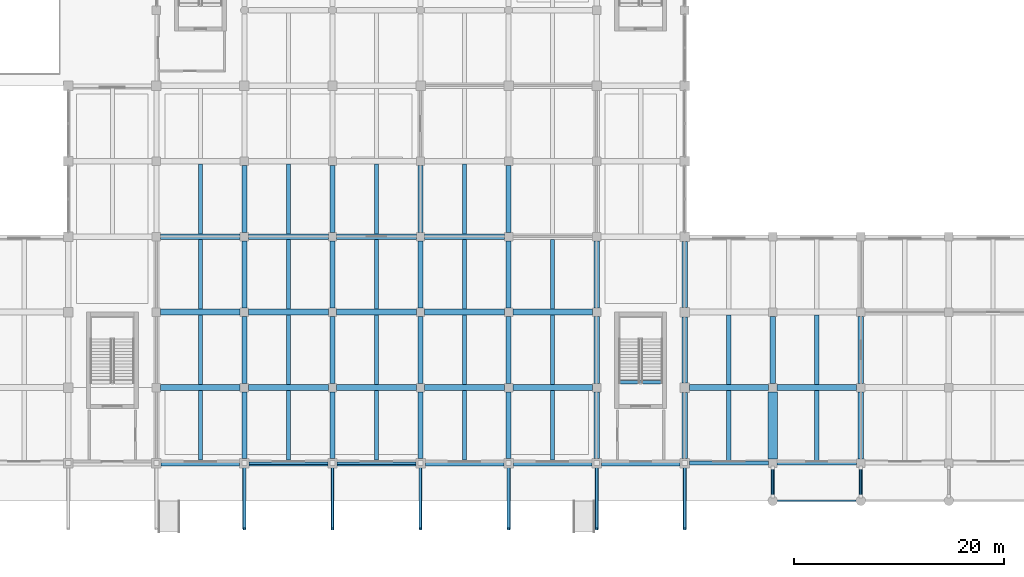
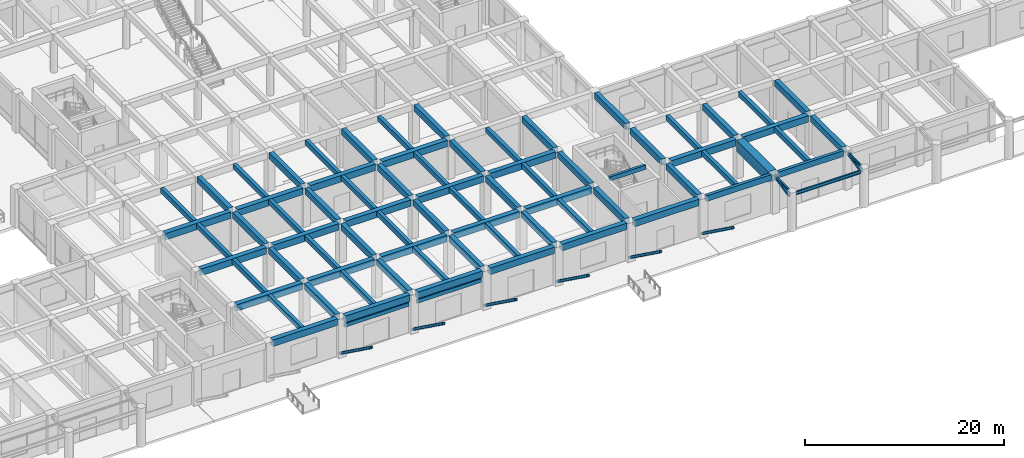
# One storey, part 8 of 49: 79 beams, 8 members.
"""IFC4 building model written with IfcOpenShell, lengths in metres."""

from ifc_helpers import new_model, si_unit, direction, frame, origin, origin_2d, place, context, subcontext, project, spatial, rectangle, hollow_circle, i_section, extrude, material, material_profile, profile_set, type_object, element, save


model = new_model("IFC4")

# Units and contexts
model_context = context("Model", 3, precision=1e-05, world=origin(), true_north=direction((0.0, 1.0)))
body_context = subcontext(model_context, "Body", "Model", "MODEL_VIEW")
ifc_project = project(units=[si_unit("LENGTHUNIT", "METRE"), si_unit("AREAUNIT", "SQUARE_METRE"), si_unit("VOLUMEUNIT", "CUBIC_METRE"), si_unit("PLANEANGLEUNIT", "RADIAN"), si_unit("MASSUNIT", "GRAM", prefix="KILO")], contexts=[model_context])

# Site, building, storey
site_placement = place(None, origin())
site = spatial("IfcSite", under=ifc_project, at=site_placement, CompositionType="ELEMENT")
building_placement = place(site_placement, origin())
building = spatial("IfcBuilding", under=site, at=building_placement, Name="Kenerak Square Central Library", CompositionType="ELEMENT")
storey_placement = place(building_placement, origin())
storey = spatial("IfcBuildingStorey", under=building, at=storey_placement, Name="L00", CompositionType="ELEMENT", Elevation=0.0)

# Beams
ifc_material_1 = material(Name="Steel S355", Category="steel")
ifc_material_profile_1 = material_profile(ifc_material_1, i_section(OverallWidth=0.14990234375, OverallDepth=0.300048828125, WebThickness=0.007080078125, FlangeThickness=0.0107421875, FilletRadius=0.014892578125, at=origin_2d()), Name="IPE 300")
ifc_profile_set_1 = profile_set([ifc_material_profile_1], Name="Steel S355")
beam_type_1 = type_object("IfcBeamType", Name="Canopy Steel Joist SJ-02 IPE 300 S355", PredefinedType="JOIST", material=ifc_profile_set_1)
for number, where, z_axis, x_axis, name in (
    (1, (125.60009765625, 13.64990234375, 4.5), (0.0, 1.0, 0.0), (-1.0, 0.0, 0.0), "Colonnade Canopy Tie Joist SJ-02 07"),
    (2, (134.0, 13.64990234375, 4.5), (0.0, 1.0, 0.0), (-1.0, 0.0, 0.0), "Colonnade Canopy Tie Joist SJ-02 08"),
):
    element("IfcBeam", number, at=place(storey_placement, frame(where, z_axis=z_axis, x_axis=x_axis)), inside=storey, type_object=beam_type_1, Name=name, PredefinedType="JOIST", context=body_context, shape_type="SweptSolid", body=[
        extrude(i_section(OverallWidth=0.14990234375, OverallDepth=0.300048828125, WebThickness=0.007080078125, FlangeThickness=0.0107421875, FilletRadius=0.014892578125, at=origin_2d()), origin(), (0.0, 0.0, 1.0), 2.7001953125),
    ])

# Members
ifc_material_profile_2 = material_profile(ifc_material_1, i_section(OverallWidth=0.300048828125, OverallDepth=0.300048828125, WebThickness=0.010986328125, FlangeThickness=0.01904296875, FilletRadius=0.027099609375, at=origin_2d()), Name="HEB 300")
ifc_profile_set_2 = profile_set([ifc_material_profile_2], Name="Steel S355")
member_type_1 = type_object("IfcMemberType", Name="Canopy Tie Member CT-01 HEB 300 S355", PredefinedType="STRUT", material=ifc_profile_set_2)
for number, where, z_axis, x_axis, name in (
    (3, (125.60009765625, 13.64990234375, 3.89990234375), (0.0, 0.976182906477, 0.216949148655), (-1.0, 0.0, 0.0), "Colonnade Raking Tie CT-01 07"),
    (4, (134.0, 13.64990234375, 3.89990234375), (0.0, 0.976182906477, 0.216949148655), (-1.0, 0.0, 0.0), "Colonnade Raking Tie CT-01 08"),
):
    element("IfcMember", number, at=place(storey_placement, frame(where, z_axis=z_axis, x_axis=x_axis)), inside=storey, type_object=member_type_1, Name=name, PredefinedType="STRUT", context=body_context, shape_type="SweptSolid", body=[
        extrude(i_section(OverallWidth=0.300048828125, OverallDepth=0.300048828125, WebThickness=0.010986328125, FlangeThickness=0.01904296875, FilletRadius=0.027099609375, at=origin_2d()), origin(), (0.0, 0.0, 1.0), 2.76611328125),
    ])

# Beams
ifc_material_profile_3 = material_profile(ifc_material_1, i_section(OverallWidth=0.179931640625, OverallDepth=0.39990234375, WebThickness=0.008544921875, FlangeThickness=0.013427734375, FilletRadius=0.02099609375, at=origin_2d()), Name="IPE 400")
ifc_profile_set_3 = profile_set([ifc_material_profile_3], Name="Steel S355")
beam_type_2 = type_object("IfcBeamType", Name="Colonnade Roof Beam SB-09 IPE 400 S355", PredefinedType="BEAM", material=ifc_profile_set_3)
beam_1_placement = place(storey_placement, frame((126.050048828125, 13.199951171875, 4.300048828125), z_axis=(1.0, 0.0, 0.0), x_axis=(0.0, 1.0, 0.0)))
element("IfcBeam", 5, at=beam_1_placement, inside=storey, type_object=beam_type_2, Name="Colonnade Edge Beam SB-09 E01", PredefinedType="BEAM", context=body_context, shape_type="SweptSolid", body=[
    extrude(i_section(OverallWidth=0.179931640625, OverallDepth=0.39990234375, WebThickness=0.008544921875, FlangeThickness=0.013427734375, FilletRadius=0.02099609375, at=origin_2d()), origin(), (0.0, 0.0, 1.0), 7.5),
])
ifc_material_2 = material(Name="Concrete C40/50", Category="concrete")
ifc_material_profile_4 = material_profile(ifc_material_2, rectangle(XDim=0.35009765625, YDim=0.699951171875, at=origin_2d()), Name="RC 350x700")
ifc_profile_set_4 = profile_set([ifc_material_profile_4], Name="Concrete C40/50")
beam_type_3 = type_object("IfcBeamType", Name="Expressed Spandrel Beam SP-01 RC 350x700 C40/50", PredefinedType="SPANDREL", material=ifc_profile_set_4)
beam_2_placement = place(storey_placement, frame((117.64990234375, 16.800048828125, 4.449951171875), z_axis=(1.0, 0.0, 0.0), x_axis=(0.0, 1.0, 0.0)))
element("IfcBeam", 6, at=beam_2_placement, inside=storey, type_object=beam_type_3, Name="Beam SP-01 L00 0457", PredefinedType="SPANDREL", context=body_context, shape_type="SweptSolid", body=[
    extrude(rectangle(XDim=0.35009765625, YDim=0.699951171875, at=origin_2d()), origin(), (0.0, 0.0, 1.0), 7.550048828125),
])
beam_3_placement = place(storey_placement, frame((126.0, 16.800048828125, 4.449951171875), z_axis=(1.0, 0.0, 0.0), x_axis=(0.0, 1.0, 0.0)))
element("IfcBeam", 7, at=beam_3_placement, inside=storey, type_object=beam_type_3, Name="Beam SP-01 L00 0458", PredefinedType="SPANDREL", context=body_context, shape_type="SweptSolid", body=[
    extrude(rectangle(XDim=0.35009765625, YDim=0.699951171875, at=origin_2d()), origin(), (0.0, 0.0, 1.0), 7.60009765625),
])
ifc_material_profile_5 = material_profile(ifc_material_2, rectangle(XDim=0.300048828125, YDim=0.5, at=origin_2d()), Name="RC 300x500")
ifc_profile_set_5 = profile_set([ifc_material_profile_5], Name="Concrete C40/50")
beam_type_4 = type_object("IfcBeamType", Name="Landing Support Beam B-08 RC 300x500 C40/50", PredefinedType="BEAM", material=ifc_profile_set_5)
beam_4_placement = place(storey_placement, frame((110.919921875, 24.510009765625, 4.550048828125), z_axis=(1.0, 0.0, 0.0), x_axis=(0.0, 1.0, 0.0)))
element("IfcBeam", 8, at=beam_4_placement, inside=storey, type_object=beam_type_4, Name="Stair Threshold Beam B-08 ST-05 L01", PredefinedType="BEAM", context=body_context, shape_type="SweptSolid", body=[
    extrude(rectangle(XDim=0.300048828125, YDim=0.5, at=origin_2d()), origin(), (0.0, 0.0, 1.0), 4.16015625),
])
ifc_material_profile_6 = material_profile(ifc_material_2, rectangle(XDim=0.550048828125, YDim=0.800048828125, at=origin_2d()), Name="RC 550x800")
ifc_profile_set_6 = profile_set([ifc_material_profile_6], Name="Concrete C40/50")
beam_type_5 = type_object("IfcBeamType", Name="Primary Reading Beam B-04 RC 550x800 C40/50", PredefinedType="BEAM", material=ifc_profile_set_6)
for number, where, z_axis, x_axis, name in (
    (9, (67.25, 16.800048828125, 4.39990234375), (1.0, 0.0, 0.0), (0.0, 1.0, 0.0), "Beam B-04 L00 0451"),
    (10, (75.64990234375, 16.800048828125, 4.39990234375), (1.0, 0.0, 0.0), (0.0, 1.0, 0.0), "Beam B-04 L00 0452"),
    (11, (84.050048828125, 16.800048828125, 4.39990234375), (1.0, 0.0, 0.0), (0.0, 1.0, 0.0), "Beam B-04 L00 0453"),
    (12, (92.449951171875, 16.800048828125, 4.39990234375), (1.0, 0.0, 0.0), (0.0, 1.0, 0.0), "Beam B-04 L00 0454"),
    (13, (100.85009765625, 16.800048828125, 4.39990234375), (1.0, 0.0, 0.0), (0.0, 1.0, 0.0), "Beam B-04 L00 0455"),
    (14, (109.25, 16.800048828125, 4.39990234375), (1.0, 0.0, 0.0), (0.0, 1.0, 0.0), "Beam B-04 L00 0456"),
):
    element("IfcBeam", number, at=place(storey_placement, frame(where, z_axis=z_axis, x_axis=x_axis)), inside=storey, type_object=beam_type_5, Name=name, PredefinedType="BEAM", context=body_context, shape_type="SweptSolid", body=[
        extrude(rectangle(XDim=0.550048828125, YDim=0.800048828125, at=origin_2d()), origin(), (0.0, 0.0, 1.0), 7.5),
    ])
beam_5_placement = place(storey_placement, frame((67.199951171875, 24.0, 4.39990234375), z_axis=(1.0, 0.0, 0.0), x_axis=(0.0, 1.0, 0.0)))
element("IfcBeam", 15, at=beam_5_placement, inside=storey, type_object=beam_type_5, Name="Beam B-04 L00 0464", PredefinedType="BEAM", context=body_context, shape_type="SweptSolid", body=[
    extrude(rectangle(XDim=0.550048828125, YDim=0.800048828125, at=origin_2d()), origin(), (0.0, 0.0, 1.0), 7.60009765625),
])
beam_6_placement = place(storey_placement, frame((75.60009765625, 24.0, 4.39990234375), z_axis=(1.0, 0.0, 0.0), x_axis=(0.0, 1.0, 0.0)))
element("IfcBeam", 16, at=beam_6_placement, inside=storey, type_object=beam_type_5, Name="Beam B-04 L00 0465", PredefinedType="BEAM", context=body_context, shape_type="SweptSolid", body=[
    extrude(rectangle(XDim=0.550048828125, YDim=0.800048828125, at=origin_2d()), origin(), (0.0, 0.0, 1.0), 7.599853515625),
])
for number, where, z_axis, x_axis, name in (
    (17, (84.0, 24.0, 4.39990234375), (1.0, 0.0, 0.0), (0.0, 1.0, 0.0), "Beam B-04 L00 0466"),
    (18, (92.39990234375, 24.0, 4.39990234375), (1.0, 0.0, 0.0), (0.0, 1.0, 0.0), "Beam B-04 L00 0467"),
):
    element("IfcBeam", number, at=place(storey_placement, frame(where, z_axis=z_axis, x_axis=x_axis)), inside=storey, type_object=beam_type_5, Name=name, PredefinedType="BEAM", context=body_context, shape_type="SweptSolid", body=[
        extrude(rectangle(XDim=0.550048828125, YDim=0.800048828125, at=origin_2d()), origin(), (0.0, 0.0, 1.0), 7.60009765625),
    ])
beam_7_placement = place(storey_placement, frame((100.800048828125, 24.0, 4.39990234375), z_axis=(1.0, 0.0, 0.0), x_axis=(0.0, 1.0, 0.0)))
element("IfcBeam", 19, at=beam_7_placement, inside=storey, type_object=beam_type_5, Name="Beam B-04 L00 0468", PredefinedType="BEAM", context=body_context, shape_type="SweptSolid", body=[
    extrude(rectangle(XDim=0.550048828125, YDim=0.800048828125, at=origin_2d()), origin(), (0.0, 0.0, 1.0), 7.599853515625),
])
beam_8_placement = place(storey_placement, frame((117.64990234375, 24.0, 4.39990234375), z_axis=(1.0, 0.0, 0.0), x_axis=(0.0, 1.0, 0.0)))
element("IfcBeam", 20, at=beam_8_placement, inside=storey, type_object=beam_type_5, Name="Beam B-04 L00 0469", PredefinedType="BEAM", context=body_context, shape_type="SweptSolid", body=[
    extrude(rectangle(XDim=0.550048828125, YDim=0.800048828125, at=origin_2d()), origin(), (0.0, 0.0, 1.0), 7.550048828125),
])
for number, where, z_axis, x_axis, name in (
    (21, (126.0, 24.0, 4.39990234375), (1.0, 0.0, 0.0), (0.0, 1.0, 0.0), "Beam B-04 L00 0470"),
    (22, (67.199951171875, 31.199951171875, 4.39990234375), (1.0, 0.0, 0.0), (0.0, 1.0, 0.0), "Beam B-04 L00 0479"),
):
    element("IfcBeam", number, at=place(storey_placement, frame(where, z_axis=z_axis, x_axis=x_axis)), inside=storey, type_object=beam_type_5, Name=name, PredefinedType="BEAM", context=body_context, shape_type="SweptSolid", body=[
        extrude(rectangle(XDim=0.550048828125, YDim=0.800048828125, at=origin_2d()), origin(), (0.0, 0.0, 1.0), 7.60009765625),
    ])
beam_9_placement = place(storey_placement, frame((75.60009765625, 31.199951171875, 4.39990234375), z_axis=(1.0, 0.0, 0.0), x_axis=(0.0, 1.0, 0.0)))
element("IfcBeam", 23, at=beam_9_placement, inside=storey, type_object=beam_type_5, Name="Beam B-04 L00 0480", PredefinedType="BEAM", context=body_context, shape_type="SweptSolid", body=[
    extrude(rectangle(XDim=0.550048828125, YDim=0.800048828125, at=origin_2d()), origin(), (0.0, 0.0, 1.0), 7.599853515625),
])
for number, where, z_axis, x_axis, name in (
    (24, (84.0, 31.199951171875, 4.39990234375), (1.0, 0.0, 0.0), (0.0, 1.0, 0.0), "Beam B-04 L00 0481"),
    (25, (92.39990234375, 31.199951171875, 4.39990234375), (1.0, 0.0, 0.0), (0.0, 1.0, 0.0), "Beam B-04 L00 0482"),
):
    element("IfcBeam", number, at=place(storey_placement, frame(where, z_axis=z_axis, x_axis=x_axis)), inside=storey, type_object=beam_type_5, Name=name, PredefinedType="BEAM", context=body_context, shape_type="SweptSolid", body=[
        extrude(rectangle(XDim=0.550048828125, YDim=0.800048828125, at=origin_2d()), origin(), (0.0, 0.0, 1.0), 7.60009765625),
    ])
beam_10_placement = place(storey_placement, frame((100.800048828125, 31.199951171875, 4.39990234375), z_axis=(1.0, 0.0, 0.0), x_axis=(0.0, 1.0, 0.0)))
element("IfcBeam", 26, at=beam_10_placement, inside=storey, type_object=beam_type_5, Name="Beam B-04 L00 0483", PredefinedType="BEAM", context=body_context, shape_type="SweptSolid", body=[
    extrude(rectangle(XDim=0.550048828125, YDim=0.800048828125, at=origin_2d()), origin(), (0.0, 0.0, 1.0), 7.599853515625),
])
beam_11_placement = place(storey_placement, frame((67.199951171875, 38.39990234375, 4.39990234375), z_axis=(1.0, 0.0, 0.0), x_axis=(0.0, 1.0, 0.0)))
element("IfcBeam", 27, at=beam_11_placement, inside=storey, type_object=beam_type_5, Name="Beam B-04 L00 0495", PredefinedType="BEAM", context=body_context, shape_type="SweptSolid", body=[
    extrude(rectangle(XDim=0.550048828125, YDim=0.800048828125, at=origin_2d()), origin(), (0.0, 0.0, 1.0), 7.60009765625),
])
beam_12_placement = place(storey_placement, frame((75.60009765625, 38.39990234375, 4.39990234375), z_axis=(1.0, 0.0, 0.0), x_axis=(0.0, 1.0, 0.0)))
element("IfcBeam", 28, at=beam_12_placement, inside=storey, type_object=beam_type_5, Name="Beam B-04 L00 0496", PredefinedType="BEAM", context=body_context, shape_type="SweptSolid", body=[
    extrude(rectangle(XDim=0.550048828125, YDim=0.800048828125, at=origin_2d()), origin(), (0.0, 0.0, 1.0), 7.599853515625),
])
for number, where, z_axis, x_axis, name in (
    (29, (84.0, 38.39990234375, 4.39990234375), (1.0, 0.0, 0.0), (0.0, 1.0, 0.0), "Beam B-04 L00 0497"),
    (30, (92.39990234375, 38.39990234375, 4.39990234375), (1.0, 0.0, 0.0), (0.0, 1.0, 0.0), "Beam B-04 L00 0498"),
):
    element("IfcBeam", number, at=place(storey_placement, frame(where, z_axis=z_axis, x_axis=x_axis)), inside=storey, type_object=beam_type_5, Name=name, PredefinedType="BEAM", context=body_context, shape_type="SweptSolid", body=[
        extrude(rectangle(XDim=0.550048828125, YDim=0.800048828125, at=origin_2d()), origin(), (0.0, 0.0, 1.0), 7.60009765625),
    ])

# Members
ifc_material_profile_7 = material_profile(ifc_material_1, hollow_circle(Radius=0.161865234375, WallThickness=0.012451171875, at=origin_2d()), Name="CHS 323.9x12.5")
ifc_profile_set_7 = profile_set([ifc_material_profile_7], Name="Steel S355")
member_type_2 = type_object("IfcMemberType", Name="Raking Overhang Strut RK-01 CHS 323.9x12.5 S355", PredefinedType="STRUT", material=ifc_profile_set_7)
for number, where, z_axis, x_axis, name in (
    (31, (75.199951171875, 16.800048828125, 0.25), (0.0, -0.810678399997, 0.585491700862), (1.0, 0.0, 0.0), "Raking Base Strut RK-01 3"),
    (32, (83.60009765625, 16.800048828125, 0.25), (0.0, -0.810678399997, 0.585491700862), (1.0, 0.0, 0.0), "Raking Base Strut RK-01 4"),
    (33, (92.0, 16.800048828125, 0.25), (0.0, -0.810678399997, 0.585491700862), (1.0, 0.0, 0.0), "Raking Base Strut RK-01 5"),
    (34, (100.39990234375, 16.800048828125, 0.25), (0.0, -0.810678399997, 0.585491700862), (1.0, 0.0, 0.0), "Raking Base Strut RK-01 6"),
    (35, (108.800048828125, 16.800048828125, 0.25), (0.0, -0.810678399997, 0.585491700862), (1.0, 0.0, 0.0), "Raking Base Strut RK-01 7"),
    (36, (117.199951171875, 16.800048828125, 0.25), (0.0, -0.810678399997, 0.585491700862), (1.0, 0.0, 0.0), "Raking Base Strut RK-01 8"),
):
    element("IfcMember", number, at=place(storey_placement, frame(where, z_axis=z_axis, x_axis=x_axis)), inside=storey, type_object=member_type_2, Name=name, PredefinedType="STRUT", context=body_context, shape_type="SweptSolid", body=[
        extrude(hollow_circle(Radius=0.161865234375, WallThickness=0.012451171875, at=origin_2d()), origin(), (0.0, 0.0, 1.0), 7.771240234375),
    ])

# Beams
ifc_material_profile_8 = material_profile(ifc_material_2, rectangle(XDim=0.39990234375, YDim=0.60009765625, at=origin_2d()), Name="RC 400x600")
ifc_profile_set_8 = profile_set([ifc_material_profile_8], Name="Concrete C40/50")
beam_type_6 = type_object("IfcBeamType", Name="Secondary Floor Joist J-01 RC 400x600 C40/50", PredefinedType="JOIST", material=ifc_profile_set_8)
for number, where, z_axis, x_axis, name in (
    (37, (71.0, 17.074951171875, 4.5), (0.0, 1.0, 0.0), (-1.0, 0.0, 0.0), "Joist J-01 L00 0767"),
    (38, (71.0, 24.27490234375, 4.5), (0.0, 1.0, 0.0), (-1.0, 0.0, 0.0), "Joist J-01 L00 0768"),
):
    element("IfcBeam", number, at=place(storey_placement, frame(where, z_axis=z_axis, x_axis=x_axis)), inside=storey, type_object=beam_type_6, Name=name, PredefinedType="JOIST", context=body_context, shape_type="SweptSolid", body=[
        extrude(rectangle(XDim=0.39990234375, YDim=0.60009765625, at=origin_2d()), origin(), (0.0, 0.0, 1.0), 6.650146484375),
    ])
for number, where, z_axis, x_axis, name in (
    (39, (71.0, 31.47509765625, 4.5), (0.0, 1.0, 0.0), (-1.0, 0.0, 0.0), "Joist J-01 L00 0769"),
    (40, (71.0, 38.675048828125, 4.5), (0.0, 1.0, 0.0), (-1.0, 0.0, 0.0), "Joist J-01 L00 0770"),
):
    element("IfcBeam", number, at=place(storey_placement, frame(where, z_axis=z_axis, x_axis=x_axis)), inside=storey, type_object=beam_type_6, Name=name, PredefinedType="JOIST", context=body_context, shape_type="SweptSolid", body=[
        extrude(rectangle(XDim=0.39990234375, YDim=0.60009765625, at=origin_2d()), origin(), (0.0, 0.0, 1.0), 6.64990234375),
    ])
for number, where, z_axis, x_axis, name in (
    (41, (79.39990234375, 17.074951171875, 4.5), (0.0, 1.0, 0.0), (-1.0, 0.0, 0.0), "Joist J-01 L00 0777"),
    (42, (79.39990234375, 24.27490234375, 4.5), (0.0, 1.0, 0.0), (-1.0, 0.0, 0.0), "Joist J-01 L00 0778"),
):
    element("IfcBeam", number, at=place(storey_placement, frame(where, z_axis=z_axis, x_axis=x_axis)), inside=storey, type_object=beam_type_6, Name=name, PredefinedType="JOIST", context=body_context, shape_type="SweptSolid", body=[
        extrude(rectangle(XDim=0.39990234375, YDim=0.60009765625, at=origin_2d()), origin(), (0.0, 0.0, 1.0), 6.650146484375),
    ])
for number, where, z_axis, x_axis, name in (
    (43, (79.39990234375, 31.47509765625, 4.5), (0.0, 1.0, 0.0), (-1.0, 0.0, 0.0), "Joist J-01 L00 0779"),
    (44, (79.39990234375, 38.675048828125, 4.5), (0.0, 1.0, 0.0), (-1.0, 0.0, 0.0), "Joist J-01 L00 0780"),
):
    element("IfcBeam", number, at=place(storey_placement, frame(where, z_axis=z_axis, x_axis=x_axis)), inside=storey, type_object=beam_type_6, Name=name, PredefinedType="JOIST", context=body_context, shape_type="SweptSolid", body=[
        extrude(rectangle(XDim=0.39990234375, YDim=0.60009765625, at=origin_2d()), origin(), (0.0, 0.0, 1.0), 6.64990234375),
    ])
for number, where, z_axis, x_axis, name in (
    (45, (87.800048828125, 17.074951171875, 4.5), (0.0, 1.0, 0.0), (-1.0, 0.0, 0.0), "Joist J-01 L00 0788"),
    (46, (87.800048828125, 24.27490234375, 4.5), (0.0, 1.0, 0.0), (-1.0, 0.0, 0.0), "Joist J-01 L00 0789"),
):
    element("IfcBeam", number, at=place(storey_placement, frame(where, z_axis=z_axis, x_axis=x_axis)), inside=storey, type_object=beam_type_6, Name=name, PredefinedType="JOIST", context=body_context, shape_type="SweptSolid", body=[
        extrude(rectangle(XDim=0.39990234375, YDim=0.60009765625, at=origin_2d()), origin(), (0.0, 0.0, 1.0), 6.650146484375),
    ])
for number, where, z_axis, x_axis, name in (
    (47, (87.800048828125, 31.47509765625, 4.5), (0.0, 1.0, 0.0), (-1.0, 0.0, 0.0), "Joist J-01 L00 0790"),
    (48, (87.800048828125, 38.675048828125, 4.5), (0.0, 1.0, 0.0), (-1.0, 0.0, 0.0), "Joist J-01 L00 0791"),
):
    element("IfcBeam", number, at=place(storey_placement, frame(where, z_axis=z_axis, x_axis=x_axis)), inside=storey, type_object=beam_type_6, Name=name, PredefinedType="JOIST", context=body_context, shape_type="SweptSolid", body=[
        extrude(rectangle(XDim=0.39990234375, YDim=0.60009765625, at=origin_2d()), origin(), (0.0, 0.0, 1.0), 6.64990234375),
    ])
for number, where, z_axis, x_axis, name in (
    (49, (96.199951171875, 17.074951171875, 4.5), (0.0, 1.0, 0.0), (-1.0, 0.0, 0.0), "Joist J-01 L00 0797"),
    (50, (96.199951171875, 24.27490234375, 4.5), (0.0, 1.0, 0.0), (-1.0, 0.0, 0.0), "Joist J-01 L00 0798"),
):
    element("IfcBeam", number, at=place(storey_placement, frame(where, z_axis=z_axis, x_axis=x_axis)), inside=storey, type_object=beam_type_6, Name=name, PredefinedType="JOIST", context=body_context, shape_type="SweptSolid", body=[
        extrude(rectangle(XDim=0.39990234375, YDim=0.60009765625, at=origin_2d()), origin(), (0.0, 0.0, 1.0), 6.650146484375),
    ])
for number, where, z_axis, x_axis, name in (
    (51, (96.199951171875, 31.47509765625, 4.5), (0.0, 1.0, 0.0), (-1.0, 0.0, 0.0), "Joist J-01 L00 0799"),
    (52, (96.199951171875, 38.675048828125, 4.5), (0.0, 1.0, 0.0), (-1.0, 0.0, 0.0), "Joist J-01 L00 0800"),
):
    element("IfcBeam", number, at=place(storey_placement, frame(where, z_axis=z_axis, x_axis=x_axis)), inside=storey, type_object=beam_type_6, Name=name, PredefinedType="JOIST", context=body_context, shape_type="SweptSolid", body=[
        extrude(rectangle(XDim=0.39990234375, YDim=0.60009765625, at=origin_2d()), origin(), (0.0, 0.0, 1.0), 6.64990234375),
    ])
for number, where, z_axis, x_axis, name in (
    (53, (104.60009765625, 17.074951171875, 4.5), (0.0, 1.0, 0.0), (-1.0, 0.0, 0.0), "Joist J-01 L00 0809"),
    (54, (104.60009765625, 24.27490234375, 4.5), (0.0, 1.0, 0.0), (-1.0, 0.0, 0.0), "Joist J-01 L00 0810"),
):
    element("IfcBeam", number, at=place(storey_placement, frame(where, z_axis=z_axis, x_axis=x_axis)), inside=storey, type_object=beam_type_6, Name=name, PredefinedType="JOIST", context=body_context, shape_type="SweptSolid", body=[
        extrude(rectangle(XDim=0.39990234375, YDim=0.60009765625, at=origin_2d()), origin(), (0.0, 0.0, 1.0), 6.650146484375),
    ])
beam_13_placement = place(storey_placement, frame((104.60009765625, 31.47509765625, 4.5), z_axis=(0.0, 1.0, 0.0), x_axis=(-1.0, 0.0, 0.0)))
element("IfcBeam", 55, at=beam_13_placement, inside=storey, type_object=beam_type_6, Name="Joist J-01 L00 0811", PredefinedType="JOIST", context=body_context, shape_type="SweptSolid", body=[
    extrude(rectangle(XDim=0.39990234375, YDim=0.60009765625, at=origin_2d()), origin(), (0.0, 0.0, 1.0), 6.64990234375),
])
beam_14_placement = place(storey_placement, frame((121.39990234375, 16.97509765625, 4.5), z_axis=(0.0, 1.0, 0.0), x_axis=(-1.0, 0.0, 0.0)))
element("IfcBeam", 56, at=beam_14_placement, inside=storey, type_object=beam_type_6, Name="Joist J-01 L00 0828", PredefinedType="JOIST", context=body_context, shape_type="SweptSolid", body=[
    extrude(rectangle(XDim=0.39990234375, YDim=0.60009765625, at=origin_2d()), origin(), (0.0, 0.0, 1.0), 6.75),
])
beam_15_placement = place(storey_placement, frame((121.39990234375, 24.27490234375, 4.5), z_axis=(0.0, 1.0, 0.0), x_axis=(-1.0, 0.0, 0.0)))
element("IfcBeam", 57, at=beam_15_placement, inside=storey, type_object=beam_type_6, Name="Joist J-01 L00 0829", PredefinedType="JOIST", context=body_context, shape_type="SweptSolid", body=[
    extrude(rectangle(XDim=0.39990234375, YDim=0.60009765625, at=origin_2d()), origin(), (0.0, 0.0, 1.0), 6.650146484375),
])
beam_16_placement = place(storey_placement, frame((129.800048828125, 16.97509765625, 4.5), z_axis=(0.0, 1.0, 0.0), x_axis=(-1.0, 0.0, 0.0)))
element("IfcBeam", 58, at=beam_16_placement, inside=storey, type_object=beam_type_6, Name="Joist J-01 L00 0834", PredefinedType="JOIST", context=body_context, shape_type="SweptSolid", body=[
    extrude(rectangle(XDim=0.39990234375, YDim=0.60009765625, at=origin_2d()), origin(), (0.0, 0.0, 1.0), 6.75),
])
beam_17_placement = place(storey_placement, frame((129.800048828125, 24.27490234375, 4.5), z_axis=(0.0, 1.0, 0.0), x_axis=(-1.0, 0.0, 0.0)))
element("IfcBeam", 59, at=beam_17_placement, inside=storey, type_object=beam_type_6, Name="Joist J-01 L00 0835", PredefinedType="JOIST", context=body_context, shape_type="SweptSolid", body=[
    extrude(rectangle(XDim=0.39990234375, YDim=0.60009765625, at=origin_2d()), origin(), (0.0, 0.0, 1.0), 6.650146484375),
])
ifc_material_3 = material(Name="Concrete C45/55", Category="concrete")
ifc_material_profile_9 = material_profile(ifc_material_3, rectangle(XDim=0.89990234375, YDim=1.35009765625, at=origin_2d()), Name="RC 900x1350")
ifc_profile_set_9 = profile_set([ifc_material_profile_9], Name="Concrete C45/55")
beam_type_7 = type_object("IfcBeamType", Name="Transfer Girder TG-02 RC 900x1350 C45/55", PredefinedType="BEAM", material=ifc_profile_set_9)
beam_18_placement = place(storey_placement, frame((125.60009765625, 17.199951171875, 4.125), z_axis=(0.0, 1.0, 0.0), x_axis=(-1.0, 0.0, 0.0)))
element("IfcBeam", 60, at=beam_18_placement, inside=storey, type_object=beam_type_7, Name="Lecture Transfer Girder TG-L01-02", PredefinedType="BEAM", context=body_context, shape_type="SweptSolid", body=[
    extrude(rectangle(XDim=0.89990234375, YDim=1.35009765625, at=origin_2d()), origin(), (0.0, 0.0, 1.0), 6.400146484375),
])
ifc_material_profile_10 = material_profile(ifc_material_2, rectangle(XDim=0.5, YDim=0.75, at=origin_2d()), Name="RC 500x750")
ifc_profile_set_10 = profile_set([ifc_material_profile_10], Name="Concrete C40/50")
beam_type_8 = type_object("IfcBeamType", Name="Transverse Frame Beam B-05 RC 500x750 C40/50", PredefinedType="BEAM", material=ifc_profile_set_10)
beam_19_placement = place(storey_placement, frame((75.199951171875, 17.25, 4.425048828125), z_axis=(0.0, 1.0, 0.0), x_axis=(-1.0, 0.0, 0.0)))
element("IfcBeam", 61, at=beam_19_placement, inside=storey, type_object=beam_type_8, Name="Beam B-05 L00 0635", PredefinedType="BEAM", context=body_context, shape_type="SweptSolid", body=[
    extrude(rectangle(XDim=0.5, YDim=0.75, at=origin_2d()), origin(), (0.0, 0.0, 1.0), 6.35009765625),
])
beam_20_placement = place(storey_placement, frame((75.199951171875, 24.39990234375, 4.425048828125), z_axis=(0.0, 1.0, 0.0), x_axis=(-1.0, 0.0, 0.0)))
element("IfcBeam", 62, at=beam_20_placement, inside=storey, type_object=beam_type_8, Name="Beam B-05 L00 0636", PredefinedType="BEAM", context=body_context, shape_type="SweptSolid", body=[
    extrude(rectangle(XDim=0.5, YDim=0.75, at=origin_2d()), origin(), (0.0, 0.0, 1.0), 6.400146484375),
])
for number, where, z_axis, x_axis, name in (
    (63, (75.199951171875, 31.60009765625, 4.425048828125), (0.0, 1.0, 0.0), (-1.0, 0.0, 0.0), "Beam B-05 L00 0637"),
    (64, (75.199951171875, 38.800048828125, 4.425048828125), (0.0, 1.0, 0.0), (-1.0, 0.0, 0.0), "Beam B-05 L00 0638"),
):
    element("IfcBeam", number, at=place(storey_placement, frame(where, z_axis=z_axis, x_axis=x_axis)), inside=storey, type_object=beam_type_8, Name=name, PredefinedType="BEAM", context=body_context, shape_type="SweptSolid", body=[
        extrude(rectangle(XDim=0.5, YDim=0.75, at=origin_2d()), origin(), (0.0, 0.0, 1.0), 6.39990234375),
    ])
beam_21_placement = place(storey_placement, frame((83.60009765625, 17.25, 4.425048828125), z_axis=(0.0, 1.0, 0.0), x_axis=(-1.0, 0.0, 0.0)))
element("IfcBeam", 65, at=beam_21_placement, inside=storey, type_object=beam_type_8, Name="Beam B-05 L00 0649", PredefinedType="BEAM", context=body_context, shape_type="SweptSolid", body=[
    extrude(rectangle(XDim=0.5, YDim=0.75, at=origin_2d()), origin(), (0.0, 0.0, 1.0), 6.35009765625),
])
beam_22_placement = place(storey_placement, frame((83.60009765625, 24.39990234375, 4.425048828125), z_axis=(0.0, 1.0, 0.0), x_axis=(-1.0, 0.0, 0.0)))
element("IfcBeam", 66, at=beam_22_placement, inside=storey, type_object=beam_type_8, Name="Beam B-05 L00 0650", PredefinedType="BEAM", context=body_context, shape_type="SweptSolid", body=[
    extrude(rectangle(XDim=0.5, YDim=0.75, at=origin_2d()), origin(), (0.0, 0.0, 1.0), 6.400146484375),
])
for number, where, z_axis, x_axis, name in (
    (67, (83.60009765625, 31.60009765625, 4.425048828125), (0.0, 1.0, 0.0), (-1.0, 0.0, 0.0), "Beam B-05 L00 0651"),
    (68, (83.60009765625, 38.800048828125, 4.425048828125), (0.0, 1.0, 0.0), (-1.0, 0.0, 0.0), "Beam B-05 L00 0652"),
):
    element("IfcBeam", number, at=place(storey_placement, frame(where, z_axis=z_axis, x_axis=x_axis)), inside=storey, type_object=beam_type_8, Name=name, PredefinedType="BEAM", context=body_context, shape_type="SweptSolid", body=[
        extrude(rectangle(XDim=0.5, YDim=0.75, at=origin_2d()), origin(), (0.0, 0.0, 1.0), 6.39990234375),
    ])
beam_23_placement = place(storey_placement, frame((92.0, 17.25, 4.425048828125), z_axis=(0.0, 1.0, 0.0), x_axis=(-1.0, 0.0, 0.0)))
element("IfcBeam", 69, at=beam_23_placement, inside=storey, type_object=beam_type_8, Name="Beam B-05 L00 0662", PredefinedType="BEAM", context=body_context, shape_type="SweptSolid", body=[
    extrude(rectangle(XDim=0.5, YDim=0.75, at=origin_2d()), origin(), (0.0, 0.0, 1.0), 6.35009765625),
])
beam_24_placement = place(storey_placement, frame((92.0, 24.39990234375, 4.425048828125), z_axis=(0.0, 1.0, 0.0), x_axis=(-1.0, 0.0, 0.0)))
element("IfcBeam", 70, at=beam_24_placement, inside=storey, type_object=beam_type_8, Name="Beam B-05 L00 0663", PredefinedType="BEAM", context=body_context, shape_type="SweptSolid", body=[
    extrude(rectangle(XDim=0.5, YDim=0.75, at=origin_2d()), origin(), (0.0, 0.0, 1.0), 6.400146484375),
])
for number, where, z_axis, x_axis, name in (
    (71, (92.0, 31.60009765625, 4.425048828125), (0.0, 1.0, 0.0), (-1.0, 0.0, 0.0), "Beam B-05 L00 0664"),
    (72, (92.0, 38.800048828125, 4.425048828125), (0.0, 1.0, 0.0), (-1.0, 0.0, 0.0), "Beam B-05 L00 0665"),
):
    element("IfcBeam", number, at=place(storey_placement, frame(where, z_axis=z_axis, x_axis=x_axis)), inside=storey, type_object=beam_type_8, Name=name, PredefinedType="BEAM", context=body_context, shape_type="SweptSolid", body=[
        extrude(rectangle(XDim=0.5, YDim=0.75, at=origin_2d()), origin(), (0.0, 0.0, 1.0), 6.39990234375),
    ])
beam_25_placement = place(storey_placement, frame((100.39990234375, 17.25, 4.425048828125), z_axis=(0.0, 1.0, 0.0), x_axis=(-1.0, 0.0, 0.0)))
element("IfcBeam", 73, at=beam_25_placement, inside=storey, type_object=beam_type_8, Name="Beam B-05 L00 0675", PredefinedType="BEAM", context=body_context, shape_type="SweptSolid", body=[
    extrude(rectangle(XDim=0.5, YDim=0.75, at=origin_2d()), origin(), (0.0, 0.0, 1.0), 6.35009765625),
])
beam_26_placement = place(storey_placement, frame((100.39990234375, 24.39990234375, 4.425048828125), z_axis=(0.0, 1.0, 0.0), x_axis=(-1.0, 0.0, 0.0)))
element("IfcBeam", 74, at=beam_26_placement, inside=storey, type_object=beam_type_8, Name="Beam B-05 L00 0676", PredefinedType="BEAM", context=body_context, shape_type="SweptSolid", body=[
    extrude(rectangle(XDim=0.5, YDim=0.75, at=origin_2d()), origin(), (0.0, 0.0, 1.0), 6.400146484375),
])
for number, where, z_axis, x_axis, name in (
    (75, (100.39990234375, 31.60009765625, 4.425048828125), (0.0, 1.0, 0.0), (-1.0, 0.0, 0.0), "Beam B-05 L00 0677"),
    (76, (100.39990234375, 38.800048828125, 4.425048828125), (0.0, 1.0, 0.0), (-1.0, 0.0, 0.0), "Beam B-05 L00 0678"),
):
    element("IfcBeam", number, at=place(storey_placement, frame(where, z_axis=z_axis, x_axis=x_axis)), inside=storey, type_object=beam_type_8, Name=name, PredefinedType="BEAM", context=body_context, shape_type="SweptSolid", body=[
        extrude(rectangle(XDim=0.5, YDim=0.75, at=origin_2d()), origin(), (0.0, 0.0, 1.0), 6.39990234375),
    ])
beam_27_placement = place(storey_placement, frame((108.800048828125, 17.25, 4.425048828125), z_axis=(0.0, 1.0, 0.0), x_axis=(-1.0, 0.0, 0.0)))
element("IfcBeam", 77, at=beam_27_placement, inside=storey, type_object=beam_type_8, Name="Beam B-05 L00 0689", PredefinedType="BEAM", context=body_context, shape_type="SweptSolid", body=[
    extrude(rectangle(XDim=0.5, YDim=0.75, at=origin_2d()), origin(), (0.0, 0.0, 1.0), 6.35009765625),
])
beam_28_placement = place(storey_placement, frame((108.800048828125, 24.39990234375, 4.425048828125), z_axis=(0.0, 1.0, 0.0), x_axis=(-1.0, 0.0, 0.0)))
element("IfcBeam", 78, at=beam_28_placement, inside=storey, type_object=beam_type_8, Name="Beam B-05 L00 0690", PredefinedType="BEAM", context=body_context, shape_type="SweptSolid", body=[
    extrude(rectangle(XDim=0.5, YDim=0.75, at=origin_2d()), origin(), (0.0, 0.0, 1.0), 6.400146484375),
])
beam_29_placement = place(storey_placement, frame((108.800048828125, 31.60009765625, 4.425048828125), z_axis=(0.0, 1.0, 0.0), x_axis=(-1.0, 0.0, 0.0)))
element("IfcBeam", 79, at=beam_29_placement, inside=storey, type_object=beam_type_8, Name="Beam B-05 L00 0691", PredefinedType="BEAM", context=body_context, shape_type="SweptSolid", body=[
    extrude(rectangle(XDim=0.5, YDim=0.75, at=origin_2d()), origin(), (0.0, 0.0, 1.0), 6.39990234375),
])
for number, where, z_axis, x_axis, name in (
    (80, (117.199951171875, 17.25, 4.425048828125), (0.0, 1.0, 0.0), (-1.0, 0.0, 0.0), "Beam B-05 L00 0703"),
    (81, (117.199951171875, 24.449951171875, 4.425048828125), (0.0, 1.0, 0.0), (-1.0, 0.0, 0.0), "Beam B-05 L00 0704"),
    (82, (117.199951171875, 31.64990234375, 4.425048828125), (0.0, 1.0, 0.0), (-1.0, 0.0, 0.0), "Beam B-05 L00 0705"),
):
    element("IfcBeam", number, at=place(storey_placement, frame(where, z_axis=z_axis, x_axis=x_axis)), inside=storey, type_object=beam_type_8, Name=name, PredefinedType="BEAM", context=body_context, shape_type="SweptSolid", body=[
        extrude(rectangle(XDim=0.5, YDim=0.75, at=origin_2d()), origin(), (0.0, 0.0, 1.0), 6.300048828125),
    ])
for number, where, z_axis, x_axis, name in (
    (83, (125.60009765625, 24.39990234375, 4.425048828125), (0.0, 1.0, 0.0), (-1.0, 0.0, 0.0), "Beam B-05 L00 0716"),
    (84, (134.0, 17.199951171875, 4.425048828125), (0.0, 1.0, 0.0), (-1.0, 0.0, 0.0), "Beam B-05 L00 0721"),
    (85, (134.0, 24.39990234375, 4.425048828125), (0.0, 1.0, 0.0), (-1.0, 0.0, 0.0), "Beam B-05 L00 0722"),
):
    element("IfcBeam", number, at=place(storey_placement, frame(where, z_axis=z_axis, x_axis=x_axis)), inside=storey, type_object=beam_type_8, Name=name, PredefinedType="BEAM", context=body_context, shape_type="SweptSolid", body=[
        extrude(rectangle(XDim=0.5, YDim=0.75, at=origin_2d()), origin(), (0.0, 0.0, 1.0), 6.400146484375),
    ])
ifc_material_profile_11 = material_profile(ifc_material_2, rectangle(XDim=0.25, YDim=0.449951171875, at=origin_2d()), Name="RC 250x450")
ifc_profile_set_11 = profile_set([ifc_material_profile_11], Name="Concrete C40/50")
beam_type_9 = type_object("IfcBeamType", Name="Trimmer Lintel Beam LN-02 RC 250x450 C40/50", PredefinedType="LINTEL", material=ifc_profile_set_11)
for number, where, z_axis, x_axis, name in (
    (86, (75.64990234375, 16.800048828125, 3.550048828125), (1.0, 0.0, 0.0), (0.0, 1.0, 0.0), "Portal Lintel Beam 03"),
    (87, (84.050048828125, 16.800048828125, 3.550048828125), (1.0, 0.0, 0.0), (0.0, 1.0, 0.0), "Portal Lintel Beam 04"),
):
    element("IfcBeam", number, at=place(storey_placement, frame(where, z_axis=z_axis, x_axis=x_axis)), inside=storey, type_object=beam_type_9, Name=name, PredefinedType="LINTEL", context=body_context, shape_type="SweptSolid", body=[
        extrude(rectangle(XDim=0.25, YDim=0.449951171875, at=origin_2d()), origin(), (0.0, 0.0, 1.0), 7.5),
    ])

save(model, "model.ifc")
